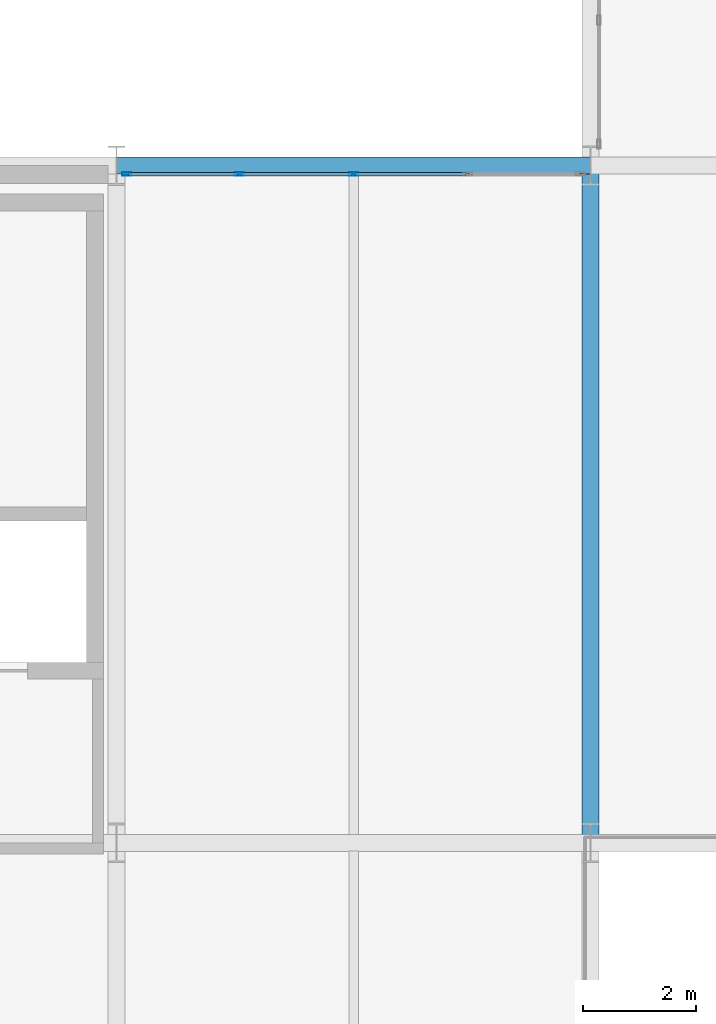
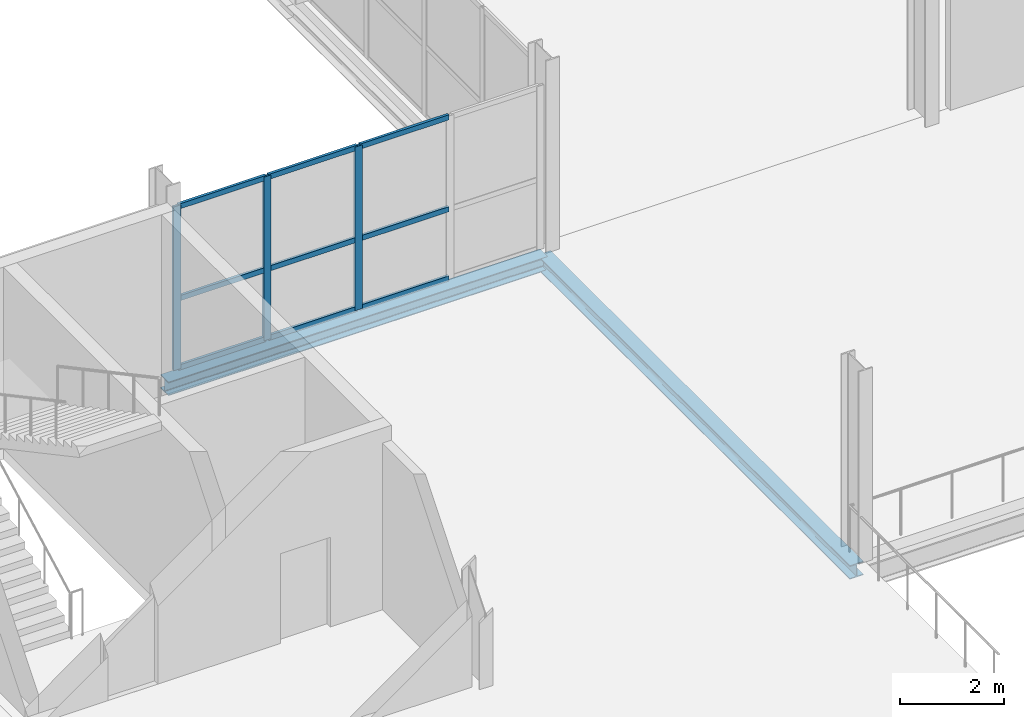
# One storey, part 48 of 113: 12 members, 2 beams, 1 element without a shape of its own.
"""IFC4 building model written with IfcOpenShell, lengths in metres."""

from ifc_helpers import new_model, si_unit, direction, frame, origin, origin_2d, place, context, subcontext, project, spatial, hollow_rectangle, i_section, extrude, material, material_profile, profile_set, type_object, element, aggregate, save


model = new_model("IFC4")

# Units and contexts
model_context = context("Model", 3, precision=1e-05, world=origin(), true_north=direction((0.0, 1.0)))
body_context = subcontext(model_context, "Body", "Model", "MODEL_VIEW")
ifc_project = project(units=[si_unit("LENGTHUNIT", "METRE"), si_unit("AREAUNIT", "SQUARE_METRE"), si_unit("VOLUMEUNIT", "CUBIC_METRE"), si_unit("PLANEANGLEUNIT", "RADIAN"), si_unit("MASSUNIT", "GRAM", prefix="KILO")], contexts=[model_context])

# Site, building, storey
site_placement = place(None, origin())
site = spatial("IfcSite", under=ifc_project, at=site_placement, CompositionType="ELEMENT")
building_placement = place(site_placement, origin())
building = spatial("IfcBuilding", under=site, at=building_placement, Name="Veltarok Museum of Natural Sciences", CompositionType="ELEMENT")
storey_placement = place(building_placement, frame((0.0, 0.0, 8.39990234375)))
storey = spatial("IfcBuildingStorey", under=building, at=storey_placement, Name="L01", CompositionType="ELEMENT", Elevation=8.39990234375)

# Curtain wall, members
ifc_material_1 = material(Name="Low-iron triple insulated glass", Category="glass")
curtain_wall_type = type_object("IfcCurtainWallType", Name="Curtain Wall System CW-V2NH-L01-1-810x383 (CW-V2NH L01 810x383cm)", PredefinedType="NOTDEFINED", material=ifc_material_1)
curtain_wall_placement = place(storey_placement, origin())
curtain_wall = element("IfcCurtainWall", 1, at=curtain_wall_placement, inside=storey, type_object=curtain_wall_type, Name="Curtain Wall CW-V2NH-L01-1-810x383 CW-0153", PredefinedType="NOTDEFINED")
ifc_material_2 = material(Name="Thermally broken anodised aluminium", Category="aluminium")
ifc_material_profile_1 = material_profile(ifc_material_2, hollow_rectangle(XDim=0.06005859375, YDim=0.1201171875, WallThickness=0.0048828125, at=origin_2d()), Name="CW TRANSOM 60x120x5")
ifc_profile_set_1 = profile_set([ifc_material_profile_1], Name="Thermally broken anodised aluminium")
member_type_1 = type_object("IfcMemberType", Name="Curtain Wall Horizontal Transom 60x120x5", PredefinedType="USERDEFINED", material=ifc_profile_set_1)
member_1_placement = place(storey_placement, frame((54.594970703125, 71.85009765625, 0.028076171875), z_axis=(-1.0, 0.0, 0.0), x_axis=(0.0, -1.0, 0.0)))
member_1 = element("IfcMember", 2, at=member_1_placement, type_object=member_type_1, Name="CW-V2NH-L01-1-810x383 transom 2.1", ObjectType="TRANSOM", PredefinedType="USERDEFINED", context=body_context, shape_type="SweptSolid", body=[
    extrude(hollow_rectangle(XDim=0.06005859375, YDim=0.1201171875, WallThickness=0.0048828125, at=origin_2d()), origin(), (0.0, 0.0, 1.0), 1.965087890625),
])
member_2_placement = place(storey_placement, frame((54.594970703125, 71.85009765625, 1.648193359375), z_axis=(-1.0, 0.0, 0.0), x_axis=(0.0, -1.0, 0.0)))
member_2 = element("IfcMember", 3, at=member_2_placement, type_object=member_type_1, Name="CW-V2NH-L01-1-810x383 transom 2.2", ObjectType="TRANSOM", PredefinedType="USERDEFINED", context=body_context, shape_type="SweptSolid", body=[
    extrude(hollow_rectangle(XDim=0.06005859375, YDim=0.1201171875, WallThickness=0.0048828125, at=origin_2d()), origin(), (0.0, 0.0, 1.0), 1.965087890625),
])
member_3_placement = place(storey_placement, frame((54.594970703125, 71.85009765625, 3.800048828125), z_axis=(-1.0, 0.0, 0.0), x_axis=(0.0, -1.0, 0.0)))
member_3 = element("IfcMember", 4, at=member_3_placement, type_object=member_type_1, Name="CW-V2NH-L01-1-810x383 transom 2.3", ObjectType="TRANSOM", PredefinedType="USERDEFINED", context=body_context, shape_type="SweptSolid", body=[
    extrude(hollow_rectangle(XDim=0.06005859375, YDim=0.1201171875, WallThickness=0.0048828125, at=origin_2d()), origin(), (0.0, 0.0, 1.0), 1.965087890625),
])
member_4_placement = place(storey_placement, frame((52.570068359375, 71.85009765625, 0.028076171875), z_axis=(-1.0, 0.0, 0.0), x_axis=(0.0, -1.0, 0.0)))
member_4 = element("IfcMember", 5, at=member_4_placement, type_object=member_type_1, Name="CW-V2NH-L01-1-810x383 transom 3.1", ObjectType="TRANSOM", PredefinedType="USERDEFINED", context=body_context, shape_type="SweptSolid", body=[
    extrude(hollow_rectangle(XDim=0.06005859375, YDim=0.1201171875, WallThickness=0.0048828125, at=origin_2d()), origin(), (0.0, 0.0, 1.0), 1.965087890625),
])
member_5_placement = place(storey_placement, frame((52.570068359375, 71.85009765625, 1.648193359375), z_axis=(-1.0, 0.0, 0.0), x_axis=(0.0, -1.0, 0.0)))
member_5 = element("IfcMember", 6, at=member_5_placement, type_object=member_type_1, Name="CW-V2NH-L01-1-810x383 transom 3.2", ObjectType="TRANSOM", PredefinedType="USERDEFINED", context=body_context, shape_type="SweptSolid", body=[
    extrude(hollow_rectangle(XDim=0.06005859375, YDim=0.1201171875, WallThickness=0.0048828125, at=origin_2d()), origin(), (0.0, 0.0, 1.0), 1.965087890625),
])
member_6_placement = place(storey_placement, frame((52.570068359375, 71.85009765625, 3.800048828125), z_axis=(-1.0, 0.0, 0.0), x_axis=(0.0, -1.0, 0.0)))
member_6 = element("IfcMember", 7, at=member_6_placement, type_object=member_type_1, Name="CW-V2NH-L01-1-810x383 transom 3.3", ObjectType="TRANSOM", PredefinedType="USERDEFINED", context=body_context, shape_type="SweptSolid", body=[
    extrude(hollow_rectangle(XDim=0.06005859375, YDim=0.1201171875, WallThickness=0.0048828125, at=origin_2d()), origin(), (0.0, 0.0, 1.0), 1.965087890625),
])
member_7_placement = place(storey_placement, frame((50.544921875, 71.85009765625, 0.028076171875), z_axis=(-1.0, 0.0, 0.0), x_axis=(0.0, -1.0, 0.0)))
member_7 = element("IfcMember", 8, at=member_7_placement, type_object=member_type_1, Name="CW-V2NH-L01-1-810x383 transom 4.1", ObjectType="TRANSOM", PredefinedType="USERDEFINED", context=body_context, shape_type="SweptSolid", body=[
    extrude(hollow_rectangle(XDim=0.06005859375, YDim=0.1201171875, WallThickness=0.0048828125, at=origin_2d()), origin(), (0.0, 0.0, 1.0), 1.934814453125),
])
member_8_placement = place(storey_placement, frame((50.544921875, 71.85009765625, 1.648193359375), z_axis=(-1.0, 0.0, 0.0), x_axis=(0.0, -1.0, 0.0)))
member_8 = element("IfcMember", 9, at=member_8_placement, type_object=member_type_1, Name="CW-V2NH-L01-1-810x383 transom 4.2", ObjectType="TRANSOM", PredefinedType="USERDEFINED", context=body_context, shape_type="SweptSolid", body=[
    extrude(hollow_rectangle(XDim=0.06005859375, YDim=0.1201171875, WallThickness=0.0048828125, at=origin_2d()), origin(), (0.0, 0.0, 1.0), 1.934814453125),
])
member_9_placement = place(storey_placement, frame((50.544921875, 71.85009765625, 3.800048828125), z_axis=(-1.0, 0.0, 0.0), x_axis=(0.0, -1.0, 0.0)))
member_9 = element("IfcMember", 10, at=member_9_placement, type_object=member_type_1, Name="CW-V2NH-L01-1-810x383 transom 4.3", ObjectType="TRANSOM", PredefinedType="USERDEFINED", context=body_context, shape_type="SweptSolid", body=[
    extrude(hollow_rectangle(XDim=0.06005859375, YDim=0.1201171875, WallThickness=0.0048828125, at=origin_2d()), origin(), (0.0, 0.0, 1.0), 1.934814453125),
])
ifc_material_profile_2 = material_profile(ifc_material_2, hollow_rectangle(XDim=0.06005859375, YDim=0.159912109375, WallThickness=0.0048828125, at=origin_2d()), Name="CW MULLION 60x160x5")
ifc_profile_set_2 = profile_set([ifc_material_profile_2], Name="Thermally broken anodised aluminium")
member_type_2 = type_object("IfcMemberType", Name="Curtain Wall Vertical Mullion 60x160x5", PredefinedType="MULLION", material=ifc_profile_set_2)
member_10_placement = place(storey_placement, frame((52.60009765625, 71.85009765625, -0.001953125), z_axis=(0.0, 0.0, 1.0), x_axis=(0.0, -1.0, 0.0)))
member_10 = element("IfcMember", 11, at=member_10_placement, type_object=member_type_2, Name="CW-V2NH-L01-1-810x383 mullion 3", PredefinedType="MULLION", context=body_context, shape_type="SweptSolid", body=[
    extrude(hollow_rectangle(XDim=0.06005859375, YDim=0.159912109375, WallThickness=0.0048828125, at=origin_2d()), origin(), (0.0, 0.0, 1.0), 3.83203125),
])
member_11_placement = place(storey_placement, frame((50.574951171875, 71.85009765625, -0.001953125), z_axis=(0.0, 0.0, 1.0), x_axis=(0.0, -1.0, 0.0)))
member_11 = element("IfcMember", 12, at=member_11_placement, type_object=member_type_2, Name="CW-V2NH-L01-1-810x383 mullion 4", PredefinedType="MULLION", context=body_context, shape_type="SweptSolid", body=[
    extrude(hollow_rectangle(XDim=0.06005859375, YDim=0.159912109375, WallThickness=0.0048828125, at=origin_2d()), origin(), (0.0, 0.0, 1.0), 3.83203125),
])
member_12_placement = place(storey_placement, frame((48.580078125, 71.85009765625, -0.001953125), z_axis=(0.0, 0.0, 1.0), x_axis=(0.0, -1.0, 0.0)))
member_12 = element("IfcMember", 13, at=member_12_placement, type_object=member_type_2, Name="CW-V2NH-L01-1-810x383 mullion 5", PredefinedType="MULLION", context=body_context, shape_type="SweptSolid", body=[
    extrude(hollow_rectangle(XDim=0.06005859375, YDim=0.159912109375, WallThickness=0.0048828125, at=origin_2d()), origin(), (0.0, 0.0, 1.0), 3.83203125),
])
aggregate(curtain_wall, [member_10, member_11, member_12, member_1, member_2, member_3, member_4, member_5, member_6, member_7, member_8, member_9])

# Beams
ifc_material_3 = material(Name="Steel S355J2", Category="steel")
ifc_material_profile_3 = material_profile(ifc_material_3, i_section(OverallWidth=0.300048828125, OverallDepth=0.320068359375, WebThickness=0.011474609375, FlangeThickness=0.0205078125, FilletRadius=0.027099609375, at=origin_2d()), Name="HEB 320")
ifc_profile_set_3 = profile_set([ifc_material_profile_3], Name="Steel S355J2")
beam_type = type_object("IfcBeamType", Name="Perimeter Sawtooth Spandrel HEB 320", PredefinedType="SPANDREL", material=ifc_profile_set_3)
beam_1_placement = place(storey_placement, frame((48.39990234375, 72.0, -0.409912109375), z_axis=(1.0, 0.0, 0.0), x_axis=(0.0, 1.0, 0.0)))
element("IfcBeam", 14, at=beam_1_placement, inside=storey, type_object=beam_type, Name="Beam BM-SP06 L01 6-7/H", PredefinedType="SPANDREL", context=body_context, shape_type="SweptSolid", body=[
    extrude(i_section(OverallWidth=0.300048828125, OverallDepth=0.320068359375, WebThickness=0.011474609375, FlangeThickness=0.0205078125, FilletRadius=0.027099609375, at=origin_2d()), origin(), (0.0, 0.0, 1.0), 8.400146484375),
])
beam_2_placement = place(storey_placement, frame((56.800048828125, 60.0, -0.409912109375), z_axis=(0.0, 1.0, 0.0), x_axis=(-1.0, 0.0, 0.0)))
element("IfcBeam", 15, at=beam_2_placement, inside=storey, type_object=beam_type, Name="Beam BM-SP06 L01 7/G-H", PredefinedType="SPANDREL", context=body_context, shape_type="SweptSolid", body=[
    extrude(i_section(OverallWidth=0.300048828125, OverallDepth=0.320068359375, WebThickness=0.011474609375, FlangeThickness=0.0205078125, FilletRadius=0.027099609375, at=origin_2d()), origin(), (0.0, 0.0, 1.0), 12.0),
])

save(model, "model.ifc")
